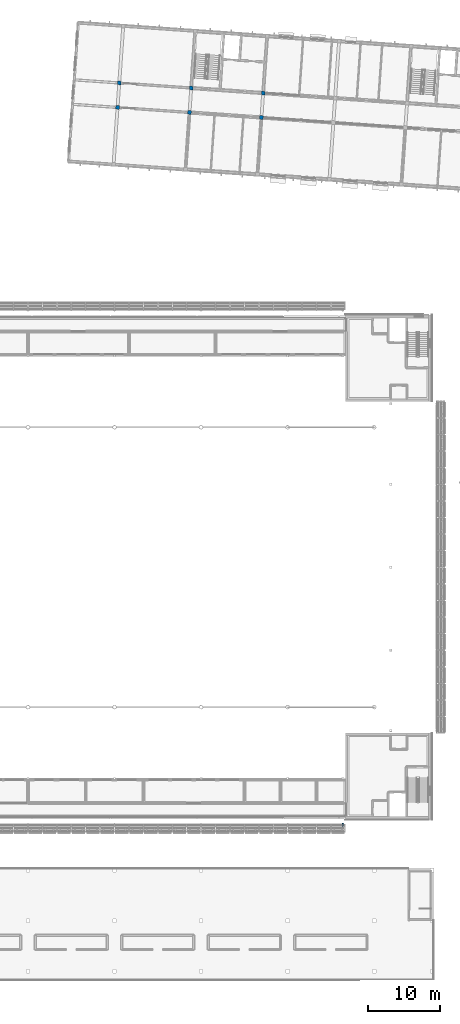
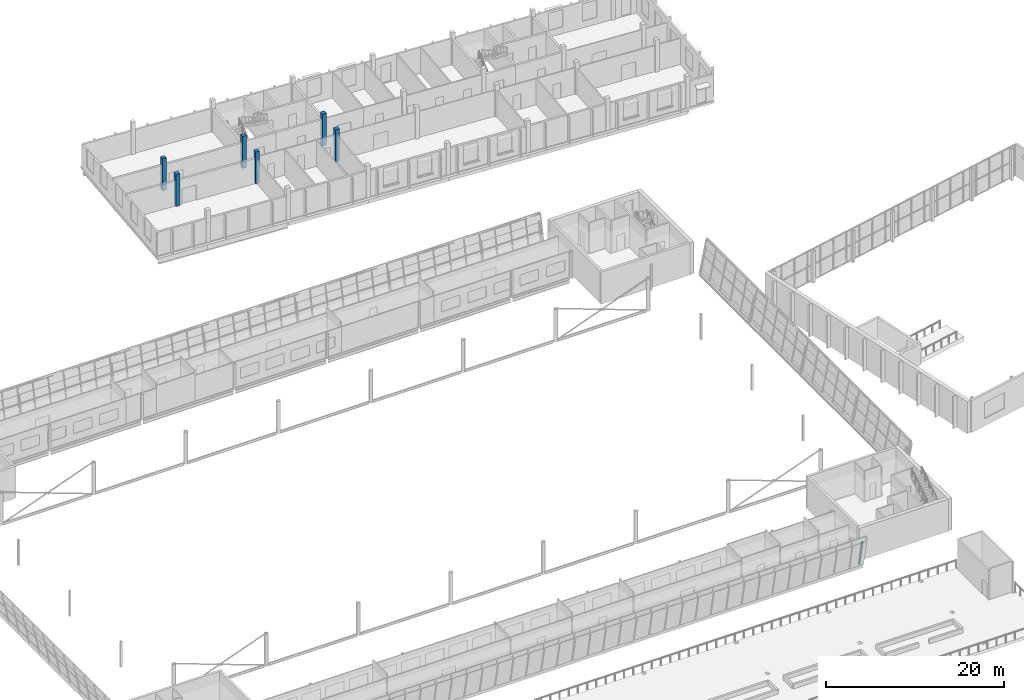
# One storey, part 11 of 95: 7 columns.
"""IFC4 building model written with IfcOpenShell, lengths in metres."""

from ifc_helpers import new_model, si_unit, direction, frame, origin, origin_2d, place, context, subcontext, project, spatial, rectangle, hollow_circle, extrude, material, material_profile, profile_set, type_object, element, save


model = new_model("IFC4")

# Units and contexts
model_context = context("Model", 3, precision=1e-05, world=origin(), true_north=direction((0.0, 1.0)))
body_context = subcontext(model_context, "Body", "Model", "MODEL_VIEW")
ifc_project = project(units=[si_unit("LENGTHUNIT", "METRE"), si_unit("AREAUNIT", "SQUARE_METRE"), si_unit("VOLUMEUNIT", "CUBIC_METRE"), si_unit("PLANEANGLEUNIT", "RADIAN"), si_unit("MASSUNIT", "GRAM", prefix="KILO")], contexts=[model_context])

# Site, building, storey
site_placement = place(None, origin())
site = spatial("IfcSite", under=ifc_project, at=site_placement, CompositionType="ELEMENT")
building_placement = place(site_placement, origin())
building = spatial("IfcBuilding", under=site, at=building_placement, Name="Windward Yard Aquatics Centre", CompositionType="ELEMENT")
storey_placement = place(building_placement, frame((0.0, 0.0, 9.39990234375)))
storey = spatial("IfcBuildingStorey", under=building, at=storey_placement, Name="L02", CompositionType="ELEMENT", Elevation=9.39990234375)

# Columns
ifc_material_1 = material(Name="Steel ASTM A500 Gr C", Category="steel")
ifc_material_profile_1 = material_profile(ifc_material_1, hollow_circle(Radius=0.136474609375, WallThickness=0.0126953125, at=origin_2d()), Name="HSS273.1X12.7")
ifc_profile_set_1 = profile_set([ifc_material_profile_1], Name="Steel ASTM A500 Gr C")
column_type_1 = type_object("IfcColumnType", Name="H tier 1 leg HSS273.1X12.7", PredefinedType="COLUMN", material=ifc_profile_set_1)
column_placement = place(storey_placement, frame((139.64990234375, 25.40478515625, 0.0), z_axis=(0.0, -0.19937762145, 0.979922733722), x_axis=(1.0, 0.0, 0.0)))
element("IfcColumn", 1, at=column_placement, inside=storey, type_object=column_type_1, Name="H.TL.S8.T1B.L02", PredefinedType="COLUMN", context=body_context, shape_type="SweptSolid", body=[
    extrude(hollow_circle(Radius=0.136474609375, WallThickness=0.0126953125, at=origin_2d()), origin(), (0.0, 0.0, 1.0), 3.5400390625),
])
ifc_material_2 = material(Name="Concrete C50/60", Category="concrete")
ifc_material_profile_2 = material_profile(ifc_material_2, rectangle(XDim=0.5, YDim=0.5, at=origin_2d()), Name="RC 500x500")
ifc_profile_set_2 = profile_set([ifc_material_profile_2], Name="Concrete C50/60")
column_type_2 = type_object("IfcColumnType", Name="W RC 500x500 column Concrete C50/60", PredefinedType="COLUMN", material=ifc_profile_set_2)
for number, where, z_axis, x_axis, name in (
    (2, (108.414306640625, 124.745849609375, 0.0), (0.0, 0.0, 1.0), (0.99756405026, -0.069756473744, 0.0), "W.COL.L02.1B"),
    (3, (108.651611328125, 128.1376953125, 0.0), (0.0, 0.0, 1.0), (0.99756405026, -0.069756473744, 0.0), "W.COL.L02.1C"),
    (4, (118.389892578125, 124.04833984375, 0.0), (0.0, 0.0, 1.0), (0.99756405026, -0.069756473744, 0.0), "W.COL.L02.2B"),
    (5, (118.627197265625, 127.43994140625, 0.0), (0.0, 0.0, 1.0), (0.99756405026, -0.069756473744, 0.0), "W.COL.L02.2C"),
    (6, (128.365478515625, 123.3505859375, 0.0), (0.0, 0.0, 1.0), (0.99756405026, -0.069756473744, 0.0), "W.COL.L02.3B"),
    (7, (128.602783203125, 126.742431640625, 0.0), (0.0, 0.0, 1.0), (0.99756405026, -0.069756473744, 0.0), "W.COL.L02.3C"),
):
    element("IfcColumn", number, at=place(storey_placement, frame(where, z_axis=z_axis, x_axis=x_axis)), inside=storey, type_object=column_type_2, Name=name, PredefinedType="COLUMN", context=body_context, shape_type="SweptSolid", body=[
        extrude(rectangle(XDim=0.5, YDim=0.5, at=origin_2d()), origin(), (0.0, 0.0, 1.0), 4.400146484375),
    ])

save(model, "model.ifc")
